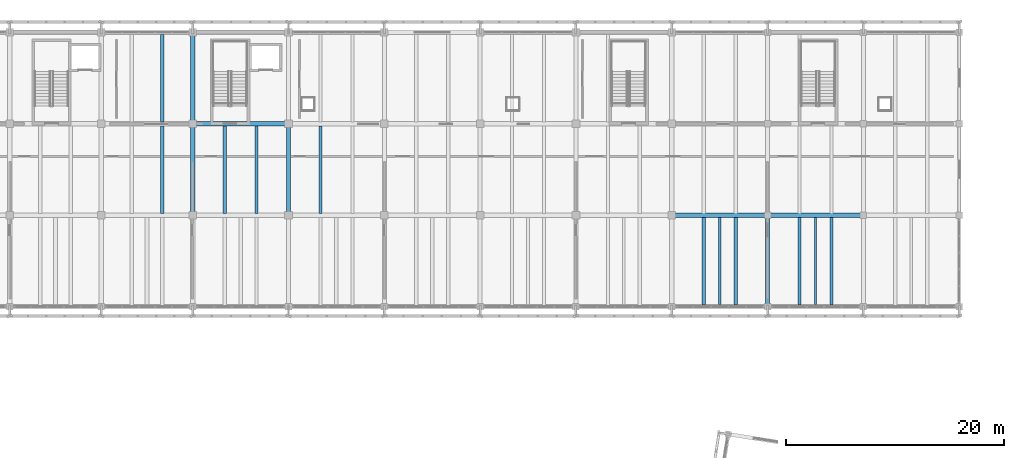
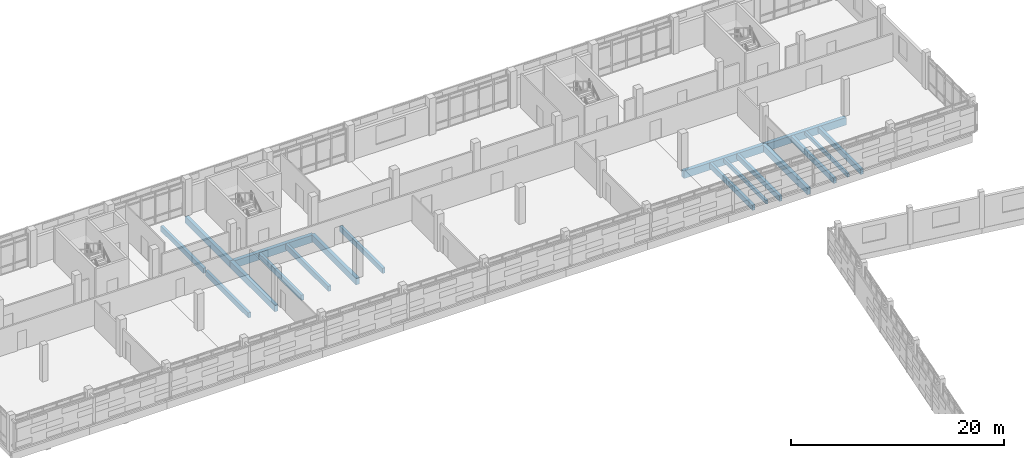
# One storey, part 66 of 137: 18 beams.
"""IFC4 building model written with IfcOpenShell, lengths in metres."""

from ifc_helpers import new_model, si_unit, direction, frame, origin, origin_2d, place, context, subcontext, project, spatial, rectangle, extrude, material, material_profile, profile_set, type_object, element, save


model = new_model("IFC4")

# Units and contexts
model_context = context("Model", 3, precision=1e-05, world=origin(), true_north=direction((0.0, 1.0)))
body_context = subcontext(model_context, "Body", "Model", "MODEL_VIEW")
ifc_project = project(units=[si_unit("LENGTHUNIT", "METRE"), si_unit("AREAUNIT", "SQUARE_METRE"), si_unit("VOLUMEUNIT", "CUBIC_METRE"), si_unit("PLANEANGLEUNIT", "RADIAN"), si_unit("MASSUNIT", "GRAM", prefix="KILO")], contexts=[model_context])

# Site, building, storey
site_placement = place(None, origin())
site = spatial("IfcSite", under=ifc_project, at=site_placement, CompositionType="ELEMENT")
building_placement = place(site_placement, origin())
building = spatial("IfcBuilding", under=site, at=building_placement, Name="Cinderway Yard Community Centre", CompositionType="ELEMENT")
storey_placement = place(building_placement, frame((0.0, 0.0, 4.800048828125)))
storey = spatial("IfcBuildingStorey", under=building, at=storey_placement, Name="L01", CompositionType="ELEMENT", Elevation=4.800048828125)

# Beams
ifc_material_1 = material(Name="Concrete C35/45", Category="concrete")
ifc_material_profile_1 = material_profile(ifc_material_1, rectangle(XDim=0.219970703125, YDim=0.419921875, at=origin_2d()), Name="Concrete C35/45")
ifc_profile_set_1 = profile_set([ifc_material_profile_1], Name="Concrete C35/45")
beam_type_1 = type_object("IfcBeamType", Name="STR-BM-RC220X420", PredefinedType="LINTEL", material=ifc_profile_set_1)
beam_1_placement = place(storey_placement, frame((132.39990234375, 90.199951171875, -0.469970703125), z_axis=(0.0, 1.0, 0.0), x_axis=(-1.0, 0.0, 0.0)))
element("IfcBeam", 1, at=beam_1_placement, inside=storey, type_object=beam_type_1, Name="Mid-bay secondary beam STR-BM-L01-LN03-1172", PredefinedType="LINTEL", context=body_context, shape_type="SweptSolid", body=[
    extrude(rectangle(XDim=0.219970703125, YDim=0.419921875, at=origin_2d()), origin(), (0.0, 0.0, 1.0), 8.0),
])
ifc_material_profile_2 = material_profile(ifc_material_1, rectangle(XDim=0.239990234375, YDim=0.419921875, at=origin_2d()), Name="Concrete C35/45")
ifc_profile_set_2 = profile_set([ifc_material_profile_2], Name="Concrete C35/45")
beam_type_2 = type_object("IfcBeamType", Name="STR-BM-RC240X420", PredefinedType="SPANDREL", material=ifc_profile_set_2)
beam_2_placement = place(storey_placement, frame((123.60009765625, 90.199951171875, -0.469970703125), z_axis=(0.0, 1.0, 0.0), x_axis=(-1.0, 0.0, 0.0)))
element("IfcBeam", 2, at=beam_2_placement, inside=storey, type_object=beam_type_2, Name="Mid-bay secondary beam STR-BM-L01-SP03-1171", PredefinedType="SPANDREL", context=body_context, shape_type="SweptSolid", body=[
    extrude(rectangle(XDim=0.239990234375, YDim=0.419921875, at=origin_2d()), origin(), (0.0, 0.0, 1.0), 8.0),
])
ifc_material_profile_3 = material_profile(ifc_material_1, rectangle(XDim=0.300048828125, YDim=0.60009765625, at=origin_2d()), Name="Concrete C35/45")
ifc_profile_set_3 = profile_set([ifc_material_profile_3], Name="Concrete C35/45")
beam_type_3 = type_object("IfcBeamType", Name="STR-BM-RC300X600", PredefinedType="JOIST", material=ifc_profile_set_3)
beam_3_placement = place(storey_placement, frame((72.39990234375, 98.58203125, -0.56005859375), z_axis=(0.0, 1.0, 0.0), x_axis=(-1.0, 0.0, 0.0)))
element("IfcBeam", 3, at=beam_3_placement, inside=storey, type_object=beam_type_3, Name="Secondary joist STR-BM-L01-BJ02-0278", PredefinedType="JOIST", context=body_context, shape_type="SweptSolid", body=[
    extrude(rectangle(XDim=0.300048828125, YDim=0.60009765625, at=origin_2d()), origin(), (0.0, 0.0, 1.0), 8.035888671875),
])
beam_4_placement = place(storey_placement, frame((72.39990234375, 106.98193359375, -0.56005859375), z_axis=(0.0, 1.0, 0.0), x_axis=(-1.0, 0.0, 0.0)))
element("IfcBeam", 4, at=beam_4_placement, inside=storey, type_object=beam_type_3, Name="Secondary joist STR-BM-L01-BJ02-0280", PredefinedType="JOIST", context=body_context, shape_type="SweptSolid", body=[
    extrude(rectangle(XDim=0.300048828125, YDim=0.60009765625, at=origin_2d()), origin(), (0.0, 0.0, 1.0), 8.0361328125),
])
for number, where, z_axis, x_axis, name in (
    (5, (78.133056640625, 98.58203125, -0.56005859375), (0.0, 1.0, 0.0), (-1.0, 0.0, 0.0), "Secondary joist STR-BM-L01-BJ02-0283"),
    (6, (81.06689453125, 98.58203125, -0.56005859375), (0.0, 1.0, 0.0), (-1.0, 0.0, 0.0), "Secondary joist STR-BM-L01-BJ02-0284"),
    (7, (86.93310546875, 98.58203125, -0.56005859375), (0.0, 1.0, 0.0), (-1.0, 0.0, 0.0), "Secondary joist STR-BM-L01-BJ02-0287"),
):
    element("IfcBeam", number, at=place(storey_placement, frame(where, z_axis=z_axis, x_axis=x_axis)), inside=storey, type_object=beam_type_3, Name=name, PredefinedType="JOIST", context=body_context, shape_type="SweptSolid", body=[
        extrude(rectangle(XDim=0.300048828125, YDim=0.60009765625, at=origin_2d()), origin(), (0.0, 0.0, 1.0), 8.035888671875),
    ])
for number, where, z_axis, x_axis, name in (
    (8, (122.133056640625, 90.181884765625, -0.56005859375), (0.0, 1.0, 0.0), (-1.0, 0.0, 0.0), "Secondary joist STR-BM-L01-BJ02-0308"),
    (9, (125.06689453125, 90.181884765625, -0.56005859375), (0.0, 1.0, 0.0), (-1.0, 0.0, 0.0), "Secondary joist STR-BM-L01-BJ02-0309"),
    (10, (130.93310546875, 90.181884765625, -0.56005859375), (0.0, 1.0, 0.0), (-1.0, 0.0, 0.0), "Secondary joist STR-BM-L01-BJ02-0314"),
    (11, (133.866943359375, 90.181884765625, -0.56005859375), (0.0, 1.0, 0.0), (-1.0, 0.0, 0.0), "Secondary joist STR-BM-L01-BJ02-0315"),
):
    element("IfcBeam", number, at=place(storey_placement, frame(where, z_axis=z_axis, x_axis=x_axis)), inside=storey, type_object=beam_type_3, Name=name, PredefinedType="JOIST", context=body_context, shape_type="SweptSolid", body=[
        extrude(rectangle(XDim=0.300048828125, YDim=0.60009765625, at=origin_2d()), origin(), (0.0, 0.0, 1.0), 8.0361328125),
    ])
ifc_material_profile_4 = material_profile(ifc_material_1, rectangle(XDim=0.3798828125, YDim=0.75, at=origin_2d()), Name="Concrete C35/45")
ifc_profile_set_4 = profile_set([ifc_material_profile_4], Name="Concrete C35/45")
beam_type_4 = type_object("IfcBeamType", Name="STR-BM-RC380X750", PredefinedType="BEAM", material=ifc_profile_set_4)
beam_5_placement = place(storey_placement, frame((75.199951171875, 98.39990234375, -0.635009765625), z_axis=(0.0, 1.0, 0.0), x_axis=(-1.0, 0.0, 0.0)))
element("IfcBeam", 12, at=beam_5_placement, inside=storey, type_object=beam_type_4, Name="Transverse girder STR-BM-L01-BG06-0233", PredefinedType="BEAM", context=body_context, shape_type="SweptSolid", body=[
    extrude(rectangle(XDim=0.3798828125, YDim=0.75, at=origin_2d()), origin(), (0.0, 0.0, 1.0), 8.400146484375),
])
beam_6_placement = place(storey_placement, frame((75.199951171875, 106.800048828125, -0.635009765625), z_axis=(0.0, 1.0, 0.0), x_axis=(-1.0, 0.0, 0.0)))
element("IfcBeam", 13, at=beam_6_placement, inside=storey, type_object=beam_type_4, Name="Transverse girder STR-BM-L01-BG06-0234", PredefinedType="BEAM", context=body_context, shape_type="SweptSolid", body=[
    extrude(rectangle(XDim=0.3798828125, YDim=0.75, at=origin_2d()), origin(), (0.0, 0.0, 1.0), 8.39990234375),
])
beam_7_placement = place(storey_placement, frame((84.0, 98.39990234375, -0.635009765625), z_axis=(0.0, 1.0, 0.0), x_axis=(-1.0, 0.0, 0.0)))
element("IfcBeam", 14, at=beam_7_placement, inside=storey, type_object=beam_type_4, Name="Transverse girder STR-BM-L01-BG06-0236", PredefinedType="BEAM", context=body_context, shape_type="SweptSolid", body=[
    extrude(rectangle(XDim=0.3798828125, YDim=0.75, at=origin_2d()), origin(), (0.0, 0.0, 1.0), 8.400146484375),
])
beam_8_placement = place(storey_placement, frame((128.0, 90.0, -0.635009765625), z_axis=(0.0, 1.0, 0.0), x_axis=(-1.0, 0.0, 0.0)))
element("IfcBeam", 15, at=beam_8_placement, inside=storey, type_object=beam_type_4, Name="Transverse girder STR-BM-L01-BG06-0250", PredefinedType="BEAM", context=body_context, shape_type="SweptSolid", body=[
    extrude(rectangle(XDim=0.3798828125, YDim=0.75, at=origin_2d()), origin(), (0.0, 0.0, 1.0), 8.39990234375),
])
ifc_material_2 = material(Name="Concrete C40/50", Category="concrete")
ifc_material_profile_5 = material_profile(ifc_material_2, rectangle(XDim=0.39990234375, YDim=0.85009765625, at=origin_2d()), Name="Concrete C40/50")
ifc_profile_set_5 = profile_set([ifc_material_profile_5], Name="Concrete C40/50")
beam_type_5 = type_object("IfcBeamType", Name="STR-BM-RC400X850", PredefinedType="BEAM", material=ifc_profile_set_5)
for number, where, z_axis, x_axis, name in (
    (16, (119.199951171875, 98.39990234375, -0.68505859375), (1.0, 0.0, 0.0), (0.0, 1.0, 0.0), "Primary girder STR-BM-L01-BG04-0193"),
    (17, (128.0, 98.39990234375, -0.68505859375), (1.0, 0.0, 0.0), (0.0, 1.0, 0.0), "Primary girder STR-BM-L01-BG04-0194"),
    (18, (75.199951171875, 106.800048828125, -0.68505859375), (1.0, 0.0, 0.0), (0.0, 1.0, 0.0), "Primary girder STR-BM-L01-BG04-0200"),
):
    element("IfcBeam", number, at=place(storey_placement, frame(where, z_axis=z_axis, x_axis=x_axis)), inside=storey, type_object=beam_type_5, Name=name, PredefinedType="BEAM", context=body_context, shape_type="SweptSolid", body=[
        extrude(rectangle(XDim=0.39990234375, YDim=0.85009765625, at=origin_2d()), origin(), (0.0, 0.0, 1.0), 8.800048828125),
    ])

save(model, "model.ifc")
